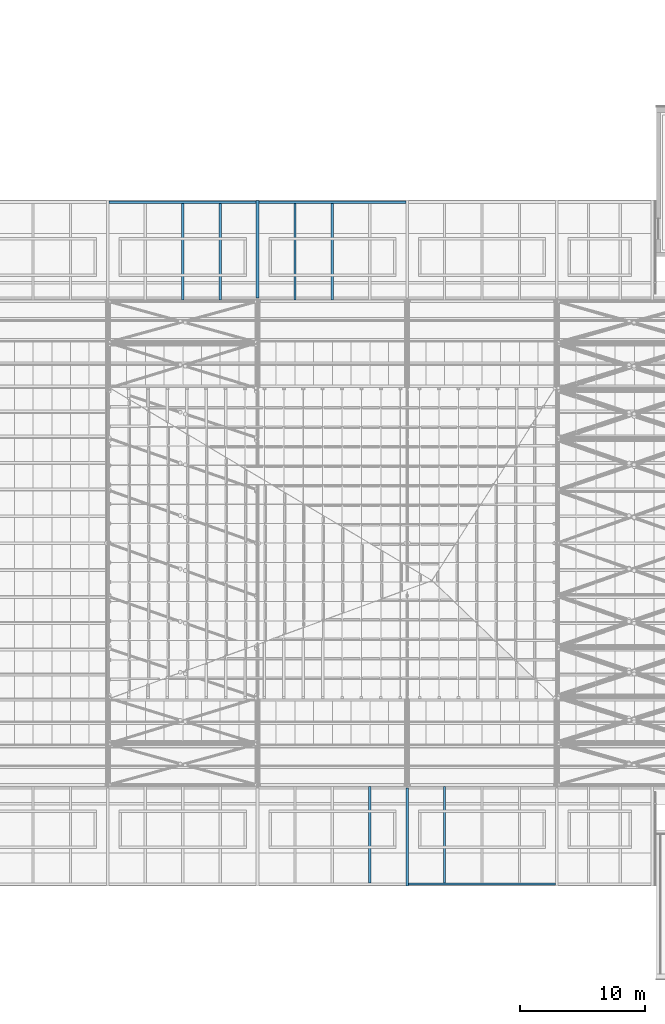
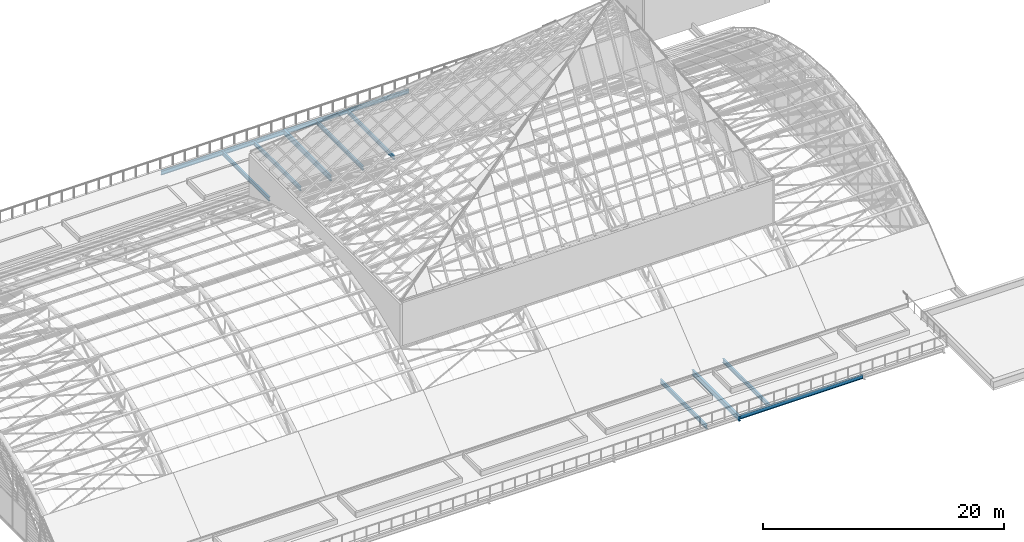
# One storey, part 26 of 110: 11 beams.
"""IFC4 building model written with IfcOpenShell, lengths in metres."""

from ifc_helpers import new_model, si_unit, direction, frame, origin, origin_2d, place, context, subcontext, project, spatial, i_section, extrude, material, material_profile, profile_set, type_object, element, save


model = new_model("IFC4")

# Units and contexts
model_context = context("Model", 3, precision=1e-05, world=origin(), true_north=direction((0.0, 1.0)))
body_context = subcontext(model_context, "Body", "Model", "MODEL_VIEW")
ifc_project = project(units=[si_unit("LENGTHUNIT", "METRE"), si_unit("AREAUNIT", "SQUARE_METRE"), si_unit("VOLUMEUNIT", "CUBIC_METRE"), si_unit("PLANEANGLEUNIT", "RADIAN"), si_unit("MASSUNIT", "GRAM", prefix="KILO")], contexts=[model_context])

# Site, building, storey
site_placement = place(None, origin())
site = spatial("IfcSite", under=ifc_project, at=site_placement, CompositionType="ELEMENT")
building_placement = place(site_placement, origin())
building = spatial("IfcBuilding", under=site, at=building_placement, Name="Windward Yard Aquatics Centre", CompositionType="ELEMENT")
storey_placement = place(building_placement, frame((0.0, 0.0, 22.60009765625)))
storey = spatial("IfcBuildingStorey", under=building, at=storey_placement, Name="L05", CompositionType="ELEMENT", Elevation=22.60009765625)

# Beams
ifc_material = material(Name="Steel ASTM A992 Gr 50", Category="steel")
ifc_material_profile_1 = material_profile(ifc_material, i_section(OverallWidth=0.208984375, OverallDepth=0.528076171875, WebThickness=0.009521484375, FlangeThickness=0.01318359375, at=origin_2d()), Name="W530X82")
ifc_profile_set_1 = profile_set([ifc_material_profile_1], Name="Steel ASTM A992 Gr 50")
beam_type_1 = type_object("IfcBeamType", Name="H terrace primary beam W530X82", PredefinedType="BEAM", material=ifc_profile_set_1)
for number, where, z_axis, x_axis, name in (
    (1, (120.0, 33.5, -0.4140625), (0.0, 1.0, 0.0), (-1.0, 0.0, 0.0), "H.T2B.S6"),
    (2, (108.0, 88.5, -0.4140625), (0.0, -1.0, 0.0), (1.0, 0.0, 0.0), "H.T2B.N5"),
):
    element("IfcBeam", number, at=place(storey_placement, frame(where, z_axis=z_axis, x_axis=x_axis)), inside=storey, type_object=beam_type_1, Name=name, PredefinedType="BEAM", context=body_context, shape_type="SweptSolid", body=[
        extrude(i_section(OverallWidth=0.208984375, OverallDepth=0.528076171875, WebThickness=0.009521484375, FlangeThickness=0.01318359375, at=origin_2d()), origin(), (0.0, 0.0, 1.0), 7.845947265625),
    ])
ifc_material_profile_2 = material_profile(ifc_material, i_section(OverallWidth=0.177978515625, OverallDepth=0.406005859375, WebThickness=0.0078125, FlangeThickness=0.0126953125, at=origin_2d()), Name="W410X60")
ifc_profile_set_2 = profile_set([ifc_material_profile_2], Name="Steel ASTM A992 Gr 50")
beam_type_2 = type_object("IfcBeamType", Name="H terrace secondary beam W410X60", PredefinedType="BEAM", material=ifc_profile_set_2)
beam_1_placement = place(storey_placement, frame((117.0, 33.74658203125, -0.35302734375), z_axis=(0.0, 1.0, 0.0), x_axis=(-1.0, 0.0, 0.0)))
element("IfcBeam", 3, at=beam_1_placement, inside=storey, type_object=beam_type_2, Name="H.T2S.S5.3", PredefinedType="BEAM", context=body_context, shape_type="SweptSolid", body=[
    extrude(i_section(OverallWidth=0.177978515625, OverallDepth=0.406005859375, WebThickness=0.0078125, FlangeThickness=0.0126953125, at=origin_2d()), origin(), (0.0, 0.0, 1.0), 7.739501953125),
])
beam_2_placement = place(storey_placement, frame((120.1044921875, 33.65771484375, -0.35302734375), z_axis=(1.0, 0.0, 0.0), x_axis=(0.0, 1.0, 0.0)))
element("IfcBeam", 4, at=beam_2_placement, inside=storey, type_object=beam_type_2, Name="H.T2E.S6", PredefinedType="BEAM", context=body_context, shape_type="SweptSolid", body=[
    extrude(i_section(OverallWidth=0.177978515625, OverallDepth=0.406005859375, WebThickness=0.0078125, FlangeThickness=0.0126953125, at=origin_2d()), origin(), (0.0, 0.0, 1.0), 11.791015625),
])
beam_3_placement = place(storey_placement, frame((123.0, 33.74658203125, -0.35302734375), z_axis=(0.0, 1.0, 0.0), x_axis=(-1.0, 0.0, 0.0)))
element("IfcBeam", 5, at=beam_3_placement, inside=storey, type_object=beam_type_2, Name="H.T2S.S6.1", PredefinedType="BEAM", context=body_context, shape_type="SweptSolid", body=[
    extrude(i_section(OverallWidth=0.177978515625, OverallDepth=0.406005859375, WebThickness=0.0078125, FlangeThickness=0.0126953125, at=origin_2d()), origin(), (0.0, 0.0, 1.0), 7.739501953125),
])
beam_4_placement = place(storey_placement, frame((96.1044921875, 88.34228515625, -0.35302734375), z_axis=(1.0, 0.0, 0.0), x_axis=(0.0, 1.0, 0.0)))
element("IfcBeam", 6, at=beam_4_placement, inside=storey, type_object=beam_type_2, Name="H.T2E.N4", PredefinedType="BEAM", context=body_context, shape_type="SweptSolid", body=[
    extrude(i_section(OverallWidth=0.177978515625, OverallDepth=0.406005859375, WebThickness=0.0078125, FlangeThickness=0.0126953125, at=origin_2d()), origin(), (0.0, 0.0, 1.0), 11.791015625),
])
for number, where, z_axis, x_axis, name in (
    (7, (102.0, 88.25341796875, -0.35302734375), (0.0, -1.0, 0.0), (1.0, 0.0, 0.0), "H.T2S.N4.2"),
    (8, (105.0, 88.25341796875, -0.35302734375), (0.0, -1.0, 0.0), (1.0, 0.0, 0.0), "H.T2S.N4.3"),
):
    element("IfcBeam", number, at=place(storey_placement, frame(where, z_axis=z_axis, x_axis=x_axis)), inside=storey, type_object=beam_type_2, Name=name, PredefinedType="BEAM", context=body_context, shape_type="SweptSolid", body=[
        extrude(i_section(OverallWidth=0.177978515625, OverallDepth=0.406005859375, WebThickness=0.0078125, FlangeThickness=0.0126953125, at=origin_2d()), origin(), (0.0, 0.0, 1.0), 7.739501953125),
    ])
beam_5_placement = place(storey_placement, frame((108.1044921875, 88.34228515625, -0.35302734375), z_axis=(1.0, 0.0, 0.0), x_axis=(0.0, 1.0, 0.0)))
element("IfcBeam", 9, at=beam_5_placement, inside=storey, type_object=beam_type_2, Name="H.T2E.N5", PredefinedType="BEAM", context=body_context, shape_type="SweptSolid", body=[
    extrude(i_section(OverallWidth=0.177978515625, OverallDepth=0.406005859375, WebThickness=0.0078125, FlangeThickness=0.0126953125, at=origin_2d()), origin(), (0.0, 0.0, 1.0), 11.791015625),
])
for number, where, z_axis, x_axis, name in (
    (10, (111.0, 88.25341796875, -0.35302734375), (0.0, -1.0, 0.0), (1.0, 0.0, 0.0), "H.T2S.N5.1"),
    (11, (114.0, 88.25341796875, -0.35302734375), (0.0, -1.0, 0.0), (1.0, 0.0, 0.0), "H.T2S.N5.2"),
):
    element("IfcBeam", number, at=place(storey_placement, frame(where, z_axis=z_axis, x_axis=x_axis)), inside=storey, type_object=beam_type_2, Name=name, PredefinedType="BEAM", context=body_context, shape_type="SweptSolid", body=[
        extrude(i_section(OverallWidth=0.177978515625, OverallDepth=0.406005859375, WebThickness=0.0078125, FlangeThickness=0.0126953125, at=origin_2d()), origin(), (0.0, 0.0, 1.0), 7.739501953125),
    ])

save(model, "model.ifc")
